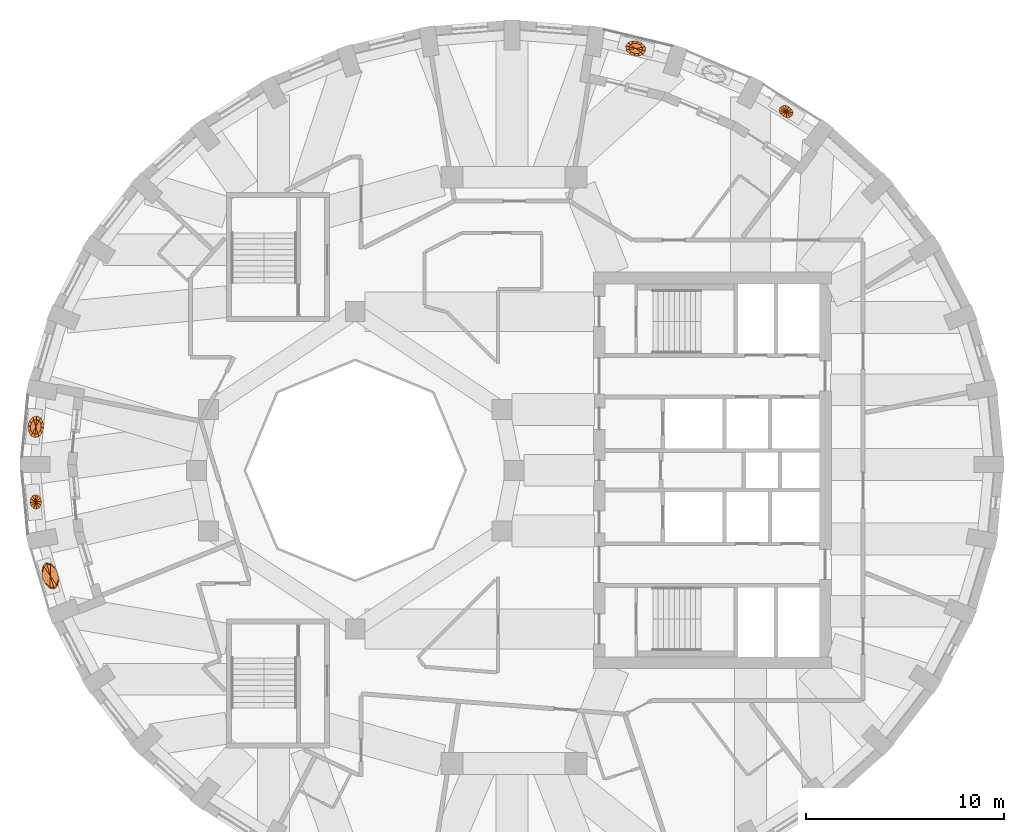
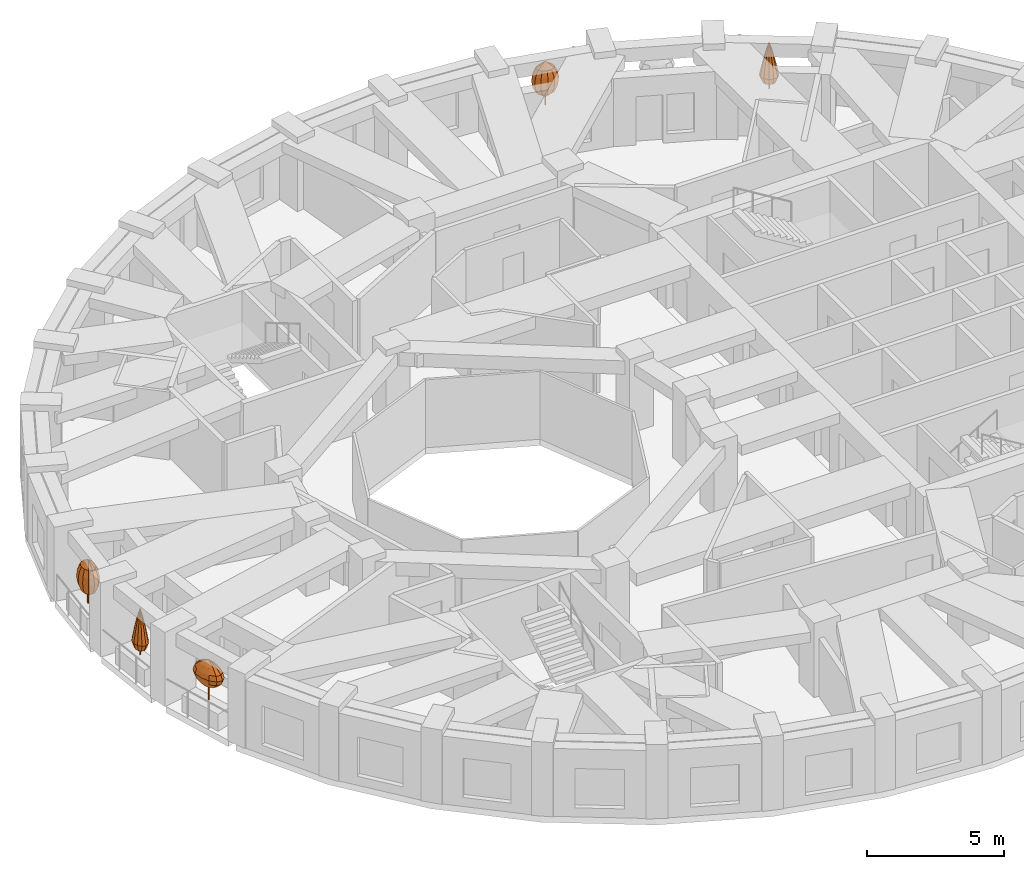
# One storey, part 11 of 12: 5 geographic elements.
"""IFC4 building model written with IfcOpenShell, lengths in metres."""

from ifc_helpers import new_model, si_unit, direction, frame, origin, place, context, subcontext, project, spatial, faceted_brep, material, constituent, constituent_set, type_object, element, save


model = new_model("IFC4")

# Units and contexts
model_context = context("Model", 3, precision=1e-05, world=origin(), true_north=direction((0.0, 1.0)))
body_context = subcontext(model_context, "Body", "Model", "MODEL_VIEW")
ifc_project = project(units=[si_unit("LENGTHUNIT", "METRE"), si_unit("AREAUNIT", "SQUARE_METRE"), si_unit("VOLUMEUNIT", "CUBIC_METRE"), si_unit("PLANEANGLEUNIT", "RADIAN"), si_unit("MASSUNIT", "GRAM", prefix="KILO")], contexts=[model_context])

# Site, building, storey
site_placement = place(None, origin())
site = spatial("IfcSite", under=ifc_project, at=site_placement, CompositionType="ELEMENT")
building_placement = place(site_placement, origin())
building = spatial("IfcBuilding", under=site, at=building_placement, Name="Taillehof Tower", CompositionType="ELEMENT")
storey_placement = place(building_placement, frame((0.0, 0.0, 239.89990234375)))
storey = spatial("IfcBuildingStorey", under=building, at=storey_placement, Name="L68", CompositionType="ELEMENT", Elevation=239.89990234375)

# Geographic elements
ifc_material_1 = material(Name="Tree bark", Category="timber")
ifc_constituent_1 = constituent(ifc_material_1, Name="Trunk", Category="timber")
ifc_material_2 = material(Name="Tree foliage")
ifc_constituent_2 = constituent(ifc_material_2, Name="Crown")
ifc_constituent_set_1 = constituent_set(constituents=[ifc_constituent_1, ifc_constituent_2], Name="Tree TR2 Fastigiate yew")
geographic_element_type_1 = type_object("IfcGeographicElementType", Name="Tree TR2 Fastigiate yew", PredefinedType="USERDEFINED", material=ifc_constituent_set_1)
geographic_element_1_placement = place(storey_placement, frame((-24.103271484375, 2.192626953125, 0.75)))
element("IfcGeographicElement", 1, at=geographic_element_1_placement, inside=storey, type_object=geographic_element_type_1, Name="Tree TR2 Fastigiate yew", ObjectType="TREE", PredefinedType="USERDEFINED", context=body_context, shape_type="Brep", body=[
    faceted_brep([(0.034912109375, 0.0, 0.0), (0.024658203125, 0.024658203125, 0.0), (0.024658203125, 0.024658203125, 0.909912109375), (0.034912109375, 0.0, 0.909912109375), (0.0, 0.034912109375, 0.0), (0.0, 0.034912109375, 0.909912109375), (-0.024658203125, 0.024658203125, 0.0), (-0.024658203125, 0.024658203125, 0.909912109375), (-0.034912109375, 0.0, 0.0), (-0.034912109375, 0.0, 0.909912109375), (-0.024658203125, -0.024658203125, 0.0), (-0.024658203125, -0.024658203125, 0.909912109375), (0.0, -0.034912109375, 0.0), (0.0, -0.034912109375, 0.909912109375), (0.024658203125, -0.024658203125, 0.0), (0.024658203125, -0.024658203125, 0.909912109375)], [[[0, 1, 2, 3]], [[1, 4, 5, 2]], [[4, 6, 7, 5]], [[6, 8, 9, 7]], [[8, 10, 11, 9]], [[10, 12, 13, 11]], [[12, 14, 15, 13]], [[14, 0, 3, 15]], [[14, 12, 10, 8, 6, 4, 1, 0]], [[3, 2, 5, 7, 9, 11, 13, 15]]]),
    faceted_brep([(0.0, 0.0, 0.35009765625), (0.1044921875, -0.3369140625, 0.61669921875), (-0.036376953125, -0.373779296875, 0.61669921875), (0.21728515625, -0.209716796875, 0.61669921875), (0.27197265625, -0.0263671875, 0.61669921875), (0.253662109375, 0.1640625, 0.61669921875), (0.16748046875, 0.310546875, 0.61669921875), (0.036376953125, 0.373779296875, 0.61669921875), (-0.1044921875, 0.3369140625, 0.61669921875), (-0.21728515625, 0.209716796875, 0.61669921875), (-0.27197265625, 0.0263671875, 0.61669921875), (-0.253662109375, -0.1640625, 0.61669921875), (-0.16748046875, -0.310546875, 0.61669921875), (0.141357421875, -0.455810546875, 0.88330078125), (-0.049072265625, -0.505859375, 0.88330078125), (0.2939453125, -0.283935546875, 0.88330078125), (0.367919921875, -0.03564453125, 0.88330078125), (0.343017578125, 0.221923828125, 0.88330078125), (0.2265625, 0.420166015625, 0.88330078125), (0.049072265625, 0.505859375, 0.88330078125), (-0.141357421875, 0.455810546875, 0.88330078125), (-0.2939453125, 0.283935546875, 0.88330078125), (-0.367919921875, 0.03564453125, 0.88330078125), (-0.343017578125, -0.221923828125, 0.88330078125), (-0.2265625, -0.420166015625, 0.88330078125), (0.153076171875, -0.493408203125, 1.14990234375), (-0.05322265625, -0.54736328125, 1.14990234375), (0.318115234375, -0.30712890625, 1.14990234375), (0.398193359375, -0.03857421875, 1.14990234375), (0.371337890625, 0.240234375, 1.14990234375), (0.2451171875, 0.454833984375, 1.14990234375), (0.05322265625, 0.54736328125, 1.14990234375), (-0.153076171875, 0.493408203125, 1.14990234375), (-0.318115234375, 0.30712890625, 1.14990234375), (-0.398193359375, 0.03857421875, 1.14990234375), (-0.371337890625, -0.240234375, 1.14990234375), (-0.2451171875, -0.454833984375, 1.14990234375), (0.141357421875, -0.455810546875, 1.416748046875), (-0.049072265625, -0.505859375, 1.416748046875), (0.2939453125, -0.283935546875, 1.416748046875), (0.367919921875, -0.03564453125, 1.416748046875), (0.343017578125, 0.221923828125, 1.416748046875), (0.2265625, 0.420166015625, 1.416748046875), (0.049072265625, 0.505859375, 1.416748046875), (-0.141357421875, 0.455810546875, 1.416748046875), (-0.2939453125, 0.283935546875, 1.416748046875), (-0.367919921875, 0.03564453125, 1.416748046875), (-0.343017578125, -0.221923828125, 1.416748046875), (-0.2265625, -0.420166015625, 1.416748046875), (0.1044921875, -0.3369140625, 1.683349609375), (-0.036376953125, -0.373779296875, 1.683349609375), (0.21728515625, -0.209716796875, 1.683349609375), (0.27197265625, -0.0263671875, 1.683349609375), (0.253662109375, 0.1640625, 1.683349609375), (0.16748046875, 0.310546875, 1.683349609375), (0.036376953125, 0.373779296875, 1.683349609375), (-0.1044921875, 0.3369140625, 1.683349609375), (-0.21728515625, 0.209716796875, 1.683349609375), (-0.27197265625, 0.0263671875, 1.683349609375), (-0.253662109375, -0.1640625, 1.683349609375), (-0.16748046875, -0.310546875, 1.683349609375), (0.0, 0.0, 1.949951171875)], [[[0, 1, 2]], [[0, 3, 1]], [[0, 4, 3]], [[0, 5, 4]], [[0, 6, 5]], [[0, 7, 6]], [[0, 8, 7]], [[0, 9, 8]], [[0, 10, 9]], [[0, 11, 10]], [[0, 12, 11]], [[0, 2, 12]], [[2, 1, 13, 14]], [[1, 3, 15, 13]], [[3, 4, 16, 15]], [[4, 5, 17, 16]], [[5, 6, 18, 17]], [[6, 7, 19, 18]], [[7, 8, 20, 19]], [[8, 9, 21, 20]], [[9, 10, 22, 21]], [[10, 11, 23, 22]], [[11, 12, 24, 23]], [[12, 2, 14, 24]], [[14, 13, 25, 26]], [[13, 15, 27, 25]], [[15, 16, 28, 27]], [[16, 17, 29, 28]], [[17, 18, 30, 29]], [[18, 19, 31, 30]], [[19, 20, 32, 31]], [[20, 21, 33, 32]], [[21, 22, 34, 33]], [[22, 23, 35, 34]], [[23, 24, 36, 35]], [[24, 14, 26, 36]], [[26, 25, 37, 38]], [[25, 27, 39, 37]], [[27, 28, 40, 39]], [[28, 29, 41, 40]], [[29, 30, 42, 41]], [[30, 31, 43, 42]], [[31, 32, 44, 43]], [[32, 33, 45, 44]], [[33, 34, 46, 45]], [[34, 35, 47, 46]], [[35, 36, 48, 47]], [[36, 26, 38, 48]], [[38, 37, 49, 50]], [[37, 39, 51, 49]], [[39, 40, 52, 51]], [[40, 41, 53, 52]], [[41, 42, 54, 53]], [[42, 43, 55, 54]], [[43, 44, 56, 55]], [[44, 45, 57, 56]], [[45, 46, 58, 57]], [[46, 47, 59, 58]], [[47, 48, 60, 59]], [[48, 38, 50, 60]], [[50, 49, 61]], [[49, 51, 61]], [[51, 52, 61]], [[52, 53, 61]], [[53, 54, 61]], [[54, 55, 61]], [[55, 56, 61]], [[56, 57, 61]], [[57, 58, 61]], [[58, 59, 61]], [[59, 60, 61]], [[60, 50, 61]]]),
])
geographic_element_2_placement = place(storey_placement, frame((6.1337890625, 21.266357421875, 0.75)))
element("IfcGeographicElement", 2, at=geographic_element_2_placement, inside=storey, type_object=geographic_element_type_1, Name="Tree TR2 Fastigiate yew", ObjectType="TREE", PredefinedType="USERDEFINED", context=body_context, shape_type="Brep", body=[
    faceted_brep([(0.034912109375, 0.0, 0.0), (0.024658203125, 0.024658203125, 0.0), (0.024658203125, 0.024658203125, 0.909912109375), (0.034912109375, 0.0, 0.909912109375), (0.0, 0.034912109375, 0.0), (0.0, 0.034912109375, 0.909912109375), (-0.024658203125, 0.024658203125, 0.0), (-0.024658203125, 0.024658203125, 0.909912109375), (-0.034912109375, 0.0, 0.0), (-0.034912109375, 0.0, 0.909912109375), (-0.024658203125, -0.024658203125, 0.0), (-0.024658203125, -0.024658203125, 0.909912109375), (0.0, -0.034912109375, 0.0), (0.0, -0.034912109375, 0.909912109375), (0.024658203125, -0.024658203125, 0.0), (0.024658203125, -0.024658203125, 0.909912109375)], [[[0, 1, 2, 3]], [[1, 4, 5, 2]], [[4, 6, 7, 5]], [[6, 8, 9, 7]], [[8, 10, 11, 9]], [[10, 12, 13, 11]], [[12, 14, 15, 13]], [[14, 0, 3, 15]], [[14, 12, 10, 8, 6, 4, 1, 0]], [[3, 2, 5, 7, 9, 11, 13, 15]]]),
    faceted_brep([(0.0, 0.0, 0.35009765625), (-0.330810546875, -0.0537109375, 0.61669921875), (-0.346923828125, 0.083740234375, 0.61669921875), (-0.22607421875, -0.1767578125, 0.61669921875), (-0.060791015625, -0.252197265625, 0.61669921875), (0.120849609375, -0.26025390625, 0.61669921875), (0.27001953125, -0.19873046875, 0.61669921875), (0.346923828125, -0.083740234375, 0.61669921875), (0.330810546875, 0.0537109375, 0.61669921875), (0.22607421875, 0.1767578125, 0.61669921875), (0.060791015625, 0.252197265625, 0.61669921875), (-0.120849609375, 0.26025390625, 0.61669921875), (-0.27001953125, 0.19873046875, 0.61669921875), (-0.447509765625, -0.072509765625, 0.88330078125), (-0.46923828125, 0.11328125, 0.88330078125), (-0.305908203125, -0.239013671875, 0.88330078125), (-0.082275390625, -0.34130859375, 0.88330078125), (0.163330078125, -0.352294921875, 0.88330078125), (0.365234375, -0.268798828125, 0.88330078125), (0.46923828125, -0.11328125, 0.88330078125), (0.447509765625, 0.072509765625, 0.88330078125), (0.305908203125, 0.239013671875, 0.88330078125), (0.082275390625, 0.34130859375, 0.88330078125), (-0.163330078125, 0.352294921875, 0.88330078125), (-0.365234375, 0.268798828125, 0.88330078125), (-0.484375, -0.07861328125, 1.14990234375), (-0.5078125, 0.12255859375, 1.14990234375), (-0.3310546875, -0.258544921875, 1.14990234375), (-0.089111328125, -0.369384765625, 1.14990234375), (0.1767578125, -0.381103515625, 1.14990234375), (0.395263671875, -0.290771484375, 1.14990234375), (0.5078125, -0.12255859375, 1.14990234375), (0.484375, 0.07861328125, 1.14990234375), (0.3310546875, 0.258544921875, 1.14990234375), (0.089111328125, 0.369384765625, 1.14990234375), (-0.1767578125, 0.381103515625, 1.14990234375), (-0.395263671875, 0.290771484375, 1.14990234375), (-0.447509765625, -0.072509765625, 1.416748046875), (-0.46923828125, 0.11328125, 1.416748046875), (-0.305908203125, -0.239013671875, 1.416748046875), (-0.082275390625, -0.34130859375, 1.416748046875), (0.163330078125, -0.352294921875, 1.416748046875), (0.365234375, -0.268798828125, 1.416748046875), (0.46923828125, -0.11328125, 1.416748046875), (0.447509765625, 0.072509765625, 1.416748046875), (0.305908203125, 0.239013671875, 1.416748046875), (0.082275390625, 0.34130859375, 1.416748046875), (-0.163330078125, 0.352294921875, 1.416748046875), (-0.365234375, 0.268798828125, 1.416748046875), (-0.330810546875, -0.0537109375, 1.683349609375), (-0.346923828125, 0.083740234375, 1.683349609375), (-0.22607421875, -0.1767578125, 1.683349609375), (-0.060791015625, -0.252197265625, 1.683349609375), (0.120849609375, -0.26025390625, 1.683349609375), (0.27001953125, -0.19873046875, 1.683349609375), (0.346923828125, -0.083740234375, 1.683349609375), (0.330810546875, 0.0537109375, 1.683349609375), (0.22607421875, 0.1767578125, 1.683349609375), (0.060791015625, 0.252197265625, 1.683349609375), (-0.120849609375, 0.26025390625, 1.683349609375), (-0.27001953125, 0.19873046875, 1.683349609375), (0.0, 0.0, 1.949951171875)], [[[0, 1, 2]], [[0, 3, 1]], [[0, 4, 3]], [[0, 5, 4]], [[0, 6, 5]], [[0, 7, 6]], [[0, 8, 7]], [[0, 9, 8]], [[0, 10, 9]], [[0, 11, 10]], [[0, 12, 11]], [[0, 2, 12]], [[2, 1, 13, 14]], [[1, 3, 15, 13]], [[3, 4, 16, 15]], [[4, 5, 17, 16]], [[5, 6, 18, 17]], [[6, 7, 19, 18]], [[7, 8, 20, 19]], [[8, 9, 21, 20]], [[9, 10, 22, 21]], [[10, 11, 23, 22]], [[11, 12, 24, 23]], [[12, 2, 14, 24]], [[14, 13, 25, 26]], [[13, 15, 27, 25]], [[15, 16, 28, 27]], [[16, 17, 29, 28]], [[17, 18, 30, 29]], [[18, 19, 31, 30]], [[19, 20, 32, 31]], [[20, 21, 33, 32]], [[21, 22, 34, 33]], [[22, 23, 35, 34]], [[23, 24, 36, 35]], [[24, 14, 26, 36]], [[26, 25, 37, 38]], [[25, 27, 39, 37]], [[27, 28, 40, 39]], [[28, 29, 41, 40]], [[29, 30, 42, 41]], [[30, 31, 43, 42]], [[31, 32, 44, 43]], [[32, 33, 45, 44]], [[33, 34, 46, 45]], [[34, 35, 47, 46]], [[35, 36, 48, 47]], [[36, 26, 38, 48]], [[38, 37, 49, 50]], [[37, 39, 51, 49]], [[39, 40, 52, 51]], [[40, 41, 53, 52]], [[41, 42, 54, 53]], [[42, 43, 55, 54]], [[43, 44, 56, 55]], [[44, 45, 57, 56]], [[45, 46, 58, 57]], [[46, 47, 59, 58]], [[47, 48, 60, 59]], [[48, 38, 50, 60]], [[50, 49, 61]], [[49, 51, 61]], [[51, 52, 61]], [[52, 53, 61]], [[53, 54, 61]], [[54, 55, 61]], [[55, 56, 61]], [[56, 57, 61]], [[57, 58, 61]], [[58, 59, 61]], [[59, 60, 61]], [[60, 50, 61]]]),
])
ifc_material_3 = material(Name="Tree bark", Category="timber")
ifc_constituent_3 = constituent(ifc_material_3, Name="Trunk", Category="timber")
ifc_material_4 = material(Name="Tree foliage")
ifc_constituent_4 = constituent(ifc_material_4, Name="Crown")
ifc_constituent_set_2 = constituent_set(constituents=[ifc_constituent_3, ifc_constituent_4], Name="Tree TR4 Sea buckthorn standard")
geographic_element_type_2 = type_object("IfcGeographicElementType", Name="Tree TR4 Sea buckthorn standard", PredefinedType="USERDEFINED", material=ifc_constituent_set_2)
geographic_element_3_placement = place(storey_placement, frame((-23.373291015625, -5.3203125, 0.75)))
element("IfcGeographicElement", 3, at=geographic_element_3_placement, inside=storey, type_object=geographic_element_type_2, Name="Tree TR4 Sea buckthorn standard", ObjectType="TREE", PredefinedType="USERDEFINED", context=body_context, shape_type="Brep", body=[
    faceted_brep([(0.030029296875, 0.0, 0.0), (0.021240234375, 0.021240234375, 0.0), (0.021240234375, 0.021240234375, 0.98095703125), (0.030029296875, 0.0, 0.98095703125), (0.0, 0.030029296875, 0.0), (0.0, 0.030029296875, 0.98095703125), (-0.021240234375, 0.021240234375, 0.0), (-0.021240234375, 0.021240234375, 0.98095703125), (-0.030029296875, 0.0, 0.0), (-0.030029296875, 0.0, 0.98095703125), (-0.021240234375, -0.021240234375, 0.0), (-0.021240234375, -0.021240234375, 0.98095703125), (0.0, -0.030029296875, 0.0), (0.0, -0.030029296875, 0.98095703125), (0.021240234375, -0.021240234375, 0.0), (0.021240234375, -0.021240234375, 0.98095703125)], [[[0, 1, 2, 3]], [[1, 4, 5, 2]], [[4, 6, 7, 5]], [[6, 8, 9, 7]], [[8, 10, 11, 9]], [[10, 12, 13, 11]], [[12, 14, 15, 13]], [[14, 0, 3, 15]], [[14, 12, 10, 8, 6, 4, 1, 0]], [[3, 2, 5, 7, 9, 11, 13, 15]]]),
    faceted_brep([(0.0, 0.0, 0.5400390625), (0.20947265625, -0.301025390625, 0.75), (0.11474609375, -0.38525390625, 0.75), (0.248046875, -0.135986328125, 0.75), (0.22021484375, 0.0654296875, 0.75), (0.13330078125, 0.24951171875, 0.75), (0.0107421875, 0.366455078125, 0.75), (-0.11474609375, 0.38525390625, 0.75), (-0.20947265625, 0.301025390625, 0.75), (-0.248046875, 0.135986328125, 0.75), (-0.22021484375, -0.0654296875, 0.75), (-0.13330078125, -0.24951171875, 0.75), (-0.0107421875, -0.366455078125, 0.75), (0.324951171875, -0.467041015625, 0.9599609375), (0.177978515625, -0.597900390625, 0.9599609375), (0.385009765625, -0.2109375, 0.9599609375), (0.341796875, 0.101806640625, 0.9599609375), (0.20703125, 0.386962890625, 0.9599609375), (0.016845703125, 0.568603515625, 0.9599609375), (-0.177978515625, 0.597900390625, 0.9599609375), (-0.324951171875, 0.467041015625, 0.9599609375), (-0.385009765625, 0.2109375, 0.9599609375), (-0.341796875, -0.101806640625, 0.9599609375), (-0.20703125, -0.386962890625, 0.9599609375), (-0.016845703125, -0.568603515625, 0.9599609375), (0.364501953125, -0.52392578125, 1.169921875), (0.19970703125, -0.6708984375, 1.169921875), (0.431884765625, -0.236572265625, 1.169921875), (0.38330078125, 0.114013671875, 1.169921875), (0.232177734375, 0.434326171875, 1.169921875), (0.018798828125, 0.63818359375, 1.169921875), (-0.19970703125, 0.6708984375, 1.169921875), (-0.364501953125, 0.52392578125, 1.169921875), (-0.431884765625, 0.236572265625, 1.169921875), (-0.38330078125, -0.114013671875, 1.169921875), (-0.232177734375, -0.434326171875, 1.169921875), (-0.018798828125, -0.63818359375, 1.169921875), (0.324951171875, -0.467041015625, 1.3798828125), (0.177978515625, -0.597900390625, 1.3798828125), (0.385009765625, -0.2109375, 1.3798828125), (0.341796875, 0.101806640625, 1.3798828125), (0.20703125, 0.386962890625, 1.3798828125), (0.016845703125, 0.568603515625, 1.3798828125), (-0.177978515625, 0.597900390625, 1.3798828125), (-0.324951171875, 0.467041015625, 1.3798828125), (-0.385009765625, 0.2109375, 1.3798828125), (-0.341796875, -0.101806640625, 1.3798828125), (-0.20703125, -0.386962890625, 1.3798828125), (-0.016845703125, -0.568603515625, 1.3798828125), (0.20947265625, -0.301025390625, 1.590087890625), (0.11474609375, -0.38525390625, 1.590087890625), (0.248046875, -0.135986328125, 1.590087890625), (0.22021484375, 0.0654296875, 1.590087890625), (0.13330078125, 0.24951171875, 1.590087890625), (0.0107421875, 0.366455078125, 1.590087890625), (-0.11474609375, 0.38525390625, 1.590087890625), (-0.20947265625, 0.301025390625, 1.590087890625), (-0.248046875, 0.135986328125, 1.590087890625), (-0.22021484375, -0.0654296875, 1.590087890625), (-0.13330078125, -0.24951171875, 1.590087890625), (-0.0107421875, -0.366455078125, 1.590087890625), (0.0, 0.0, 1.800048828125)], [[[0, 1, 2]], [[0, 3, 1]], [[0, 4, 3]], [[0, 5, 4]], [[0, 6, 5]], [[0, 7, 6]], [[0, 8, 7]], [[0, 9, 8]], [[0, 10, 9]], [[0, 11, 10]], [[0, 12, 11]], [[0, 2, 12]], [[2, 1, 13, 14]], [[1, 3, 15, 13]], [[3, 4, 16, 15]], [[4, 5, 17, 16]], [[5, 6, 18, 17]], [[6, 7, 19, 18]], [[7, 8, 20, 19]], [[8, 9, 21, 20]], [[9, 10, 22, 21]], [[10, 11, 23, 22]], [[11, 12, 24, 23]], [[12, 2, 14, 24]], [[14, 13, 25, 26]], [[13, 15, 27, 25]], [[15, 16, 28, 27]], [[16, 17, 29, 28]], [[17, 18, 30, 29]], [[18, 19, 31, 30]], [[19, 20, 32, 31]], [[20, 21, 33, 32]], [[21, 22, 34, 33]], [[22, 23, 35, 34]], [[23, 24, 36, 35]], [[24, 14, 26, 36]], [[26, 25, 37, 38]], [[25, 27, 39, 37]], [[27, 28, 40, 39]], [[28, 29, 41, 40]], [[29, 30, 42, 41]], [[30, 31, 43, 42]], [[31, 32, 44, 43]], [[32, 33, 45, 44]], [[33, 34, 46, 45]], [[34, 35, 47, 46]], [[35, 36, 48, 47]], [[36, 26, 38, 48]], [[38, 37, 49, 50]], [[37, 39, 51, 49]], [[39, 40, 52, 51]], [[40, 41, 53, 52]], [[41, 42, 54, 53]], [[42, 43, 55, 54]], [[43, 44, 56, 55]], [[44, 45, 57, 56]], [[45, 46, 58, 57]], [[46, 47, 59, 58]], [[47, 48, 60, 59]], [[48, 38, 50, 60]], [[50, 49, 61]], [[49, 51, 61]], [[51, 52, 61]], [[52, 53, 61]], [[53, 54, 61]], [[54, 55, 61]], [[55, 56, 61]], [[56, 57, 61]], [[57, 58, 61]], [[58, 59, 61]], [[59, 60, 61]], [[60, 50, 61]]]),
])
ifc_material_5 = material(Name="Tree bark", Category="timber")
ifc_constituent_5 = constituent(ifc_material_5, Name="Trunk", Category="timber")
ifc_material_6 = material(Name="Tree foliage")
ifc_constituent_6 = constituent(ifc_material_6, Name="Crown")
ifc_constituent_set_3 = constituent_set(constituents=[ifc_constituent_5, ifc_constituent_6], Name="Tree TR5 Columnar juniper")
geographic_element_type_3 = type_object("IfcGeographicElementType", Name="Tree TR5 Columnar juniper", PredefinedType="USERDEFINED", material=ifc_constituent_set_3)
geographic_element_4_placement = place(storey_placement, frame((-24.103271484375, -1.592529296875, 0.75)))
element("IfcGeographicElement", 4, at=geographic_element_4_placement, inside=storey, type_object=geographic_element_type_3, Name="Tree TR5 Columnar juniper", ObjectType="TREE", PredefinedType="USERDEFINED", context=body_context, shape_type="Brep", body=[
    faceted_brep([(0.02490234375, 0.0, 0.0), (0.017578125, 0.017578125, 0.0), (0.017578125, 0.017578125, 0.929931640625), (0.02490234375, 0.0, 0.929931640625), (0.0, 0.02490234375, 0.0), (0.0, 0.02490234375, 0.929931640625), (-0.017578125, 0.017578125, 0.0), (-0.017578125, 0.017578125, 0.929931640625), (-0.02490234375, 0.0, 0.0), (-0.02490234375, 0.0, 0.929931640625), (-0.017578125, -0.017578125, 0.0), (-0.017578125, -0.017578125, 0.929931640625), (0.0, -0.02490234375, 0.0), (0.0, -0.02490234375, 0.929931640625), (0.017578125, -0.017578125, 0.0), (0.017578125, -0.017578125, 0.929931640625)], [[[0, 1, 2, 3]], [[1, 4, 5, 2]], [[4, 6, 7, 5]], [[6, 8, 9, 7]], [[8, 10, 11, 9]], [[10, 12, 13, 11]], [[12, 14, 15, 13]], [[14, 0, 3, 15]], [[14, 12, 10, 8, 6, 4, 1, 0]], [[3, 2, 5, 7, 9, 11, 13, 15]]]),
    faceted_brep([(0.02392578125, -0.246337890625, 0.300048828125), (0.116455078125, -0.2041015625, 0.300048828125), (0.174072265625, -0.3046875, 0.60009765625), (0.03564453125, -0.36767578125, 0.60009765625), (0.177978515625, -0.10693359375, 0.300048828125), (0.265625, -0.159912109375, 0.60009765625), (0.191650390625, 0.0185546875, 0.300048828125), (0.2861328125, 0.02783203125, 0.60009765625), (0.154052734375, 0.139404296875, 0.300048828125), (0.229736328125, 0.2080078125, 0.60009765625), (0.074951171875, 0.22265625, 0.300048828125), (0.112060546875, 0.332275390625, 0.60009765625), (-0.02392578125, 0.246337890625, 0.300048828125), (-0.03564453125, 0.36767578125, 0.60009765625), (-0.116455078125, 0.2041015625, 0.300048828125), (-0.174072265625, 0.3046875, 0.60009765625), (-0.177978515625, 0.10693359375, 0.300048828125), (-0.265625, 0.159912109375, 0.60009765625), (-0.191650390625, -0.0185546875, 0.300048828125), (-0.2861328125, -0.02783203125, 0.60009765625), (-0.154052734375, -0.139404296875, 0.300048828125), (-0.229736328125, -0.2080078125, 0.60009765625), (-0.074951171875, -0.22265625, 0.300048828125), (-0.112060546875, -0.332275390625, 0.60009765625), (0.1455078125, -0.2548828125, 0.89990234375), (0.02978515625, -0.3076171875, 0.89990234375), (0.22216796875, -0.1337890625, 0.89990234375), (0.2392578125, 0.023193359375, 0.89990234375), (0.1923828125, 0.173828125, 0.89990234375), (0.09375, 0.278076171875, 0.89990234375), (-0.02978515625, 0.3076171875, 0.89990234375), (-0.1455078125, 0.2548828125, 0.89990234375), (-0.22216796875, 0.1337890625, 0.89990234375), (-0.2392578125, -0.023193359375, 0.89990234375), (-0.1923828125, -0.173828125, 0.89990234375), (-0.09375, -0.278076171875, 0.89990234375), (0.11572265625, -0.202392578125, 1.199951171875), (0.023681640625, -0.244384765625, 1.199951171875), (0.176513671875, -0.106201171875, 1.199951171875), (0.190185546875, 0.0185546875, 1.199951171875), (0.15283203125, 0.13818359375, 1.199951171875), (0.074462890625, 0.220947265625, 1.199951171875), (-0.023681640625, 0.244384765625, 1.199951171875), (-0.11572265625, 0.202392578125, 1.199951171875), (-0.176513671875, 0.106201171875, 1.199951171875), (-0.190185546875, -0.0185546875, 1.199951171875), (-0.15283203125, -0.13818359375, 1.199951171875), (-0.074462890625, -0.220947265625, 1.199951171875), (0.08349609375, -0.146240234375, 1.5), (0.01708984375, -0.1767578125, 1.5), (0.127685546875, -0.07666015625, 1.5), (0.137451171875, 0.013427734375, 1.5), (0.1103515625, 0.099853515625, 1.5), (0.053955078125, 0.15966796875, 1.5), (-0.01708984375, 0.1767578125, 1.5), (-0.08349609375, 0.146240234375, 1.5), (-0.127685546875, 0.07666015625, 1.5), (-0.137451171875, -0.013427734375, 1.5), (-0.1103515625, -0.099853515625, 1.5), (-0.053955078125, -0.15966796875, 1.5), (0.048095703125, -0.083984375, 1.800048828125), (0.009765625, -0.1015625, 1.800048828125), (0.0732421875, -0.044189453125, 1.800048828125), (0.078857421875, 0.007568359375, 1.800048828125), (0.0634765625, 0.057373046875, 1.800048828125), (0.031005859375, 0.091796875, 1.800048828125), (-0.009765625, 0.1015625, 1.800048828125), (-0.048095703125, 0.083984375, 1.800048828125), (-0.0732421875, 0.044189453125, 1.800048828125), (-0.078857421875, -0.007568359375, 1.800048828125), (-0.0634765625, -0.057373046875, 1.800048828125), (-0.031005859375, -0.091796875, 1.800048828125), (0.0, 0.0, 2.10009765625)], [[[0, 1, 2, 3]], [[1, 4, 5, 2]], [[4, 6, 7, 5]], [[6, 8, 9, 7]], [[8, 10, 11, 9]], [[10, 12, 13, 11]], [[12, 14, 15, 13]], [[14, 16, 17, 15]], [[16, 18, 19, 17]], [[18, 20, 21, 19]], [[20, 22, 23, 21]], [[22, 0, 3, 23]], [[3, 2, 24, 25]], [[2, 5, 26, 24]], [[5, 7, 27, 26]], [[7, 9, 28, 27]], [[9, 11, 29, 28]], [[11, 13, 30, 29]], [[13, 15, 31, 30]], [[15, 17, 32, 31]], [[17, 19, 33, 32]], [[19, 21, 34, 33]], [[21, 23, 35, 34]], [[23, 3, 25, 35]], [[25, 24, 36, 37]], [[24, 26, 38, 36]], [[26, 27, 39, 38]], [[27, 28, 40, 39]], [[28, 29, 41, 40]], [[29, 30, 42, 41]], [[30, 31, 43, 42]], [[31, 32, 44, 43]], [[32, 33, 45, 44]], [[33, 34, 46, 45]], [[34, 35, 47, 46]], [[35, 25, 37, 47]], [[37, 36, 48, 49]], [[36, 38, 50, 48]], [[38, 39, 51, 50]], [[39, 40, 52, 51]], [[40, 41, 53, 52]], [[41, 42, 54, 53]], [[42, 43, 55, 54]], [[43, 44, 56, 55]], [[44, 45, 57, 56]], [[45, 46, 58, 57]], [[46, 47, 59, 58]], [[47, 37, 49, 59]], [[49, 48, 60, 61]], [[48, 50, 62, 60]], [[50, 51, 63, 62]], [[51, 52, 64, 63]], [[52, 53, 65, 64]], [[53, 54, 66, 65]], [[54, 55, 67, 66]], [[55, 56, 68, 67]], [[56, 57, 69, 68]], [[57, 58, 70, 69]], [[58, 59, 71, 70]], [[59, 49, 61, 71]], [[61, 60, 72]], [[60, 62, 72]], [[62, 63, 72]], [[63, 64, 72]], [[64, 65, 72]], [[65, 66, 72]], [[66, 67, 72]], [[67, 68, 72]], [[68, 69, 72]], [[69, 70, 72]], [[70, 71, 72]], [[71, 61, 72]], [[22, 20, 18, 16, 14, 12, 10, 8, 6, 4, 1, 0]]]),
])
geographic_element_5_placement = place(storey_placement, frame((13.71630859375, 18.08251953125, 0.75)))
element("IfcGeographicElement", 5, at=geographic_element_5_placement, inside=storey, type_object=geographic_element_type_3, Name="Tree TR5 Columnar juniper", ObjectType="TREE", PredefinedType="USERDEFINED", context=body_context, shape_type="Brep", body=[
    faceted_brep([(0.02490234375, 0.0, 0.0), (0.017578125, 0.017578125, 0.0), (0.017578125, 0.017578125, 0.929931640625), (0.02490234375, 0.0, 0.929931640625), (0.0, 0.02490234375, 0.0), (0.0, 0.02490234375, 0.929931640625), (-0.017578125, 0.017578125, 0.0), (-0.017578125, 0.017578125, 0.929931640625), (-0.02490234375, 0.0, 0.0), (-0.02490234375, 0.0, 0.929931640625), (-0.017578125, -0.017578125, 0.0), (-0.017578125, -0.017578125, 0.929931640625), (0.0, -0.02490234375, 0.0), (0.0, -0.02490234375, 0.929931640625), (0.017578125, -0.017578125, 0.0), (0.017578125, -0.017578125, 0.929931640625)], [[[0, 1, 2, 3]], [[1, 4, 5, 2]], [[4, 6, 7, 5]], [[6, 8, 9, 7]], [[8, 10, 11, 9]], [[10, 12, 13, 11]], [[12, 14, 15, 13]], [[14, 0, 3, 15]], [[14, 12, 10, 8, 6, 4, 1, 0]], [[3, 2, 5, 7, 9, 11, 13, 15]]]),
    faceted_brep([(-0.20947265625, 0.132080078125, 0.300048828125), (-0.232666015625, 0.032958984375, 0.300048828125), (-0.347412109375, 0.049072265625, 0.60009765625), (-0.3125, 0.197021484375, 0.60009765625), (-0.193603515625, -0.074951171875, 0.300048828125), (-0.2890625, -0.112060546875, 0.60009765625), (-0.1025390625, -0.162841796875, 0.300048828125), (-0.1533203125, -0.2431640625, 0.60009765625), (0.015869140625, -0.20703125, 0.300048828125), (0.0234375, -0.30908203125, 0.60009765625), (0.1298828125, -0.19580078125, 0.300048828125), (0.194091796875, -0.292236328125, 0.60009765625), (0.20947265625, -0.132080078125, 0.300048828125), (0.3125, -0.197021484375, 0.60009765625), (0.232666015625, -0.032958984375, 0.300048828125), (0.347412109375, -0.049072265625, 0.60009765625), (0.193603515625, 0.074951171875, 0.300048828125), (0.2890625, 0.112060546875, 0.60009765625), (0.1025390625, 0.162841796875, 0.300048828125), (0.1533203125, 0.2431640625, 0.60009765625), (-0.015869140625, 0.20703125, 0.300048828125), (-0.0234375, 0.30908203125, 0.60009765625), (-0.1298828125, 0.19580078125, 0.300048828125), (-0.194091796875, 0.292236328125, 0.60009765625), (-0.29052734375, 0.041015625, 0.89990234375), (-0.261474609375, 0.164794921875, 0.89990234375), (-0.24169921875, -0.09375, 0.89990234375), (-0.128173828125, -0.203369140625, 0.89990234375), (0.019775390625, -0.258544921875, 0.89990234375), (0.162353515625, -0.244384765625, 0.89990234375), (0.261474609375, -0.164794921875, 0.89990234375), (0.29052734375, -0.041015625, 0.89990234375), (0.24169921875, 0.09375, 0.89990234375), (0.128173828125, 0.203369140625, 0.89990234375), (-0.019775390625, 0.258544921875, 0.89990234375), (-0.162353515625, 0.244384765625, 0.89990234375), (-0.230712890625, 0.03271484375, 1.199951171875), (-0.207763671875, 0.130859375, 1.199951171875), (-0.192138671875, -0.074462890625, 1.199951171875), (-0.101806640625, -0.16162109375, 1.199951171875), (0.015625, -0.205322265625, 1.199951171875), (0.12890625, -0.194091796875, 1.199951171875), (0.207763671875, -0.130859375, 1.199951171875), (0.230712890625, -0.03271484375, 1.199951171875), (0.192138671875, 0.074462890625, 1.199951171875), (0.101806640625, 0.16162109375, 1.199951171875), (-0.015625, 0.205322265625, 1.199951171875), (-0.12890625, 0.194091796875, 1.199951171875), (-0.166748046875, 0.023681640625, 1.5), (-0.150146484375, 0.0947265625, 1.5), (-0.138916015625, -0.0537109375, 1.5), (-0.07373046875, -0.11669921875, 1.5), (0.01123046875, -0.1484375, 1.5), (0.09326171875, -0.140380859375, 1.5), (0.150146484375, -0.0947265625, 1.5), (0.166748046875, -0.023681640625, 1.5), (0.138916015625, 0.0537109375, 1.5), (0.07373046875, 0.11669921875, 1.5), (-0.01123046875, 0.1484375, 1.5), (-0.09326171875, 0.140380859375, 1.5), (-0.095947265625, 0.013427734375, 1.800048828125), (-0.086181640625, 0.054443359375, 1.800048828125), (-0.079833984375, -0.031005859375, 1.800048828125), (-0.042236328125, -0.067138671875, 1.800048828125), (0.006591796875, -0.085205078125, 1.800048828125), (0.053466796875, -0.08056640625, 1.800048828125), (0.086181640625, -0.054443359375, 1.800048828125), (0.095947265625, -0.013427734375, 1.800048828125), (0.079833984375, 0.031005859375, 1.800048828125), (0.042236328125, 0.067138671875, 1.800048828125), (-0.006591796875, 0.085205078125, 1.800048828125), (-0.053466796875, 0.08056640625, 1.800048828125), (0.0, 0.0, 2.10009765625)], [[[0, 1, 2, 3]], [[1, 4, 5, 2]], [[4, 6, 7, 5]], [[6, 8, 9, 7]], [[8, 10, 11, 9]], [[10, 12, 13, 11]], [[12, 14, 15, 13]], [[14, 16, 17, 15]], [[16, 18, 19, 17]], [[18, 20, 21, 19]], [[20, 22, 23, 21]], [[22, 0, 3, 23]], [[3, 2, 24, 25]], [[2, 5, 26, 24]], [[5, 7, 27, 26]], [[7, 9, 28, 27]], [[9, 11, 29, 28]], [[11, 13, 30, 29]], [[13, 15, 31, 30]], [[15, 17, 32, 31]], [[17, 19, 33, 32]], [[19, 21, 34, 33]], [[21, 23, 35, 34]], [[23, 3, 25, 35]], [[25, 24, 36, 37]], [[24, 26, 38, 36]], [[26, 27, 39, 38]], [[27, 28, 40, 39]], [[28, 29, 41, 40]], [[29, 30, 42, 41]], [[30, 31, 43, 42]], [[31, 32, 44, 43]], [[32, 33, 45, 44]], [[33, 34, 46, 45]], [[34, 35, 47, 46]], [[35, 25, 37, 47]], [[37, 36, 48, 49]], [[36, 38, 50, 48]], [[38, 39, 51, 50]], [[39, 40, 52, 51]], [[40, 41, 53, 52]], [[41, 42, 54, 53]], [[42, 43, 55, 54]], [[43, 44, 56, 55]], [[44, 45, 57, 56]], [[45, 46, 58, 57]], [[46, 47, 59, 58]], [[47, 37, 49, 59]], [[49, 48, 60, 61]], [[48, 50, 62, 60]], [[50, 51, 63, 62]], [[51, 52, 64, 63]], [[52, 53, 65, 64]], [[53, 54, 66, 65]], [[54, 55, 67, 66]], [[55, 56, 68, 67]], [[56, 57, 69, 68]], [[57, 58, 70, 69]], [[58, 59, 71, 70]], [[59, 49, 61, 71]], [[61, 60, 72]], [[60, 62, 72]], [[62, 63, 72]], [[63, 64, 72]], [[64, 65, 72]], [[65, 66, 72]], [[66, 67, 72]], [[67, 68, 72]], [[68, 69, 72]], [[69, 70, 72]], [[70, 71, 72]], [[71, 61, 72]], [[22, 20, 18, 16, 14, 12, 10, 8, 6, 4, 1, 0]]]),
])

save(model, "model.ifc")
